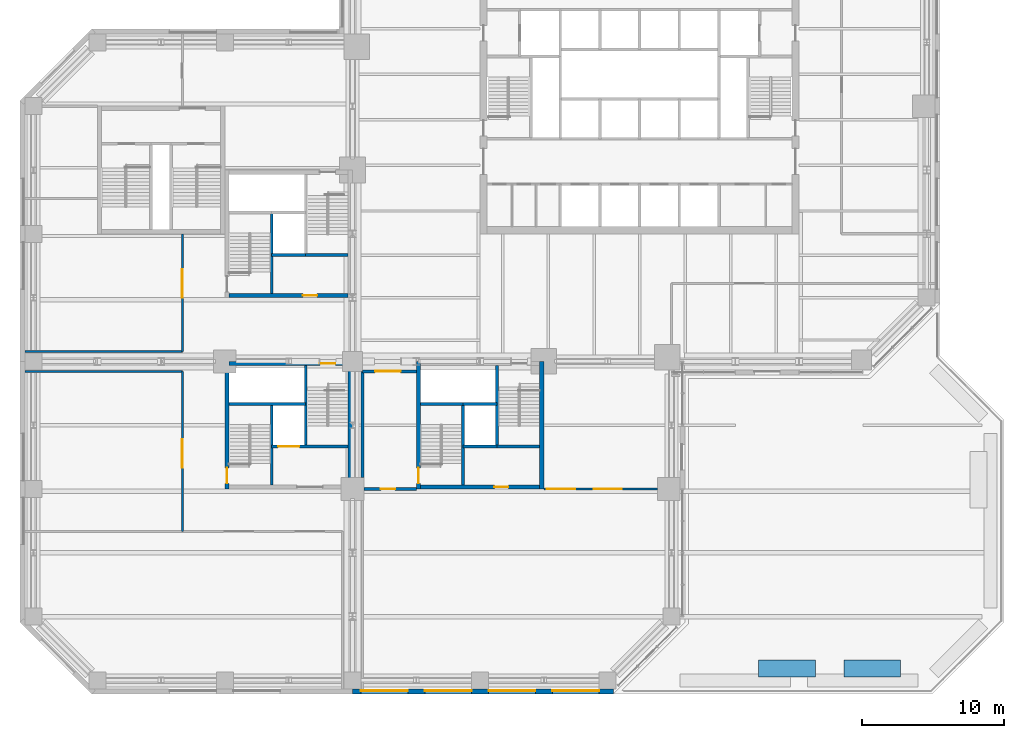
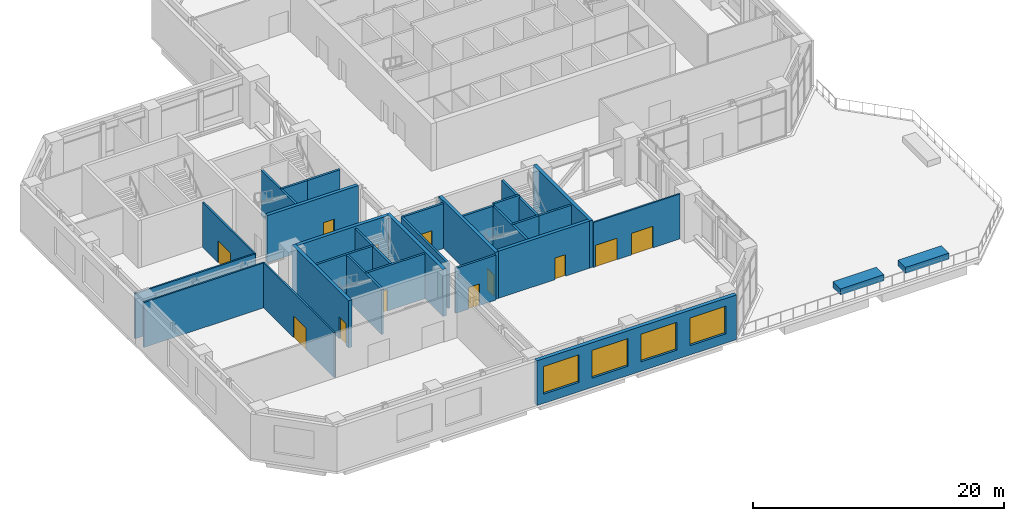
# One storey, part 13 of 21: 31 walls, 12 doors, 4 windows, 16 openings.
"""IFC4 building model written with IfcOpenShell, lengths in metres."""

from ifc_helpers import new_model, si_unit, direction, frame, frame_2d, origin, place, context, subcontext, project, spatial, rectangle, extrude, material, layer, layer_set, constituent, constituent_set, type_object, element, fill, save


model = new_model("IFC4")

# Units and contexts
model_context = context("Model", 3, precision=1e-05, world=origin(), true_north=direction((0.0, 1.0)))
body_context = subcontext(model_context, "Body", "Model", "MODEL_VIEW")
ifc_project = project(units=[si_unit("LENGTHUNIT", "METRE"), si_unit("AREAUNIT", "SQUARE_METRE"), si_unit("VOLUMEUNIT", "CUBIC_METRE"), si_unit("PLANEANGLEUNIT", "RADIAN"), si_unit("MASSUNIT", "GRAM", prefix="KILO")], contexts=[model_context])

# Site, building, storey
site_placement = place(None, origin())
site = spatial("IfcSite", under=ifc_project, at=site_placement, CompositionType="ELEMENT")
building_placement = place(site_placement, origin())
building = spatial("IfcBuilding", under=site, at=building_placement, Name="Quoin Convention Tower", CompositionType="ELEMENT")
storey_placement = place(building_placement, frame((0.0, 0.0, 18.5)))
storey = spatial("IfcBuildingStorey", under=building, at=storey_placement, Name="L03", CompositionType="ELEMENT", Elevation=18.5)

# Wall, opening, door
ifc_material_1 = material(Name="Plasterboard")
ifc_layer_1 = layer(ifc_material_1, 0.012451171875, Name="Finish")
ifc_material_2 = material(Name="Steel stud framing", Category="steel")
ifc_layer_2 = layer(ifc_material_2, 0.175048828125, Name="Structure")
ifc_layer_3 = layer(ifc_material_1, 0.012451171875, Name="Finish")
ifc_layer_set_1 = layer_set([ifc_layer_1, ifc_layer_2, ifc_layer_3], Name="Steel stud framing")
wall_type_1 = type_object("IfcWallType", Name="Block wall 200", PredefinedType="PARTITIONING", material=ifc_layer_set_1)
wall_1_placement = place(storey_placement, frame((36.800048828125, 31.5, 0.0), z_axis=(0.0, 0.0, 1.0), x_axis=(1.0, 0.0, 0.0)))
wall_1 = element("IfcWall", 1, at=wall_1_placement, inside=storey, type_object=wall_type_1, Name="pw-L03-006", PredefinedType="PARTITIONING", context=body_context, shape_type="SweptSolid", body=[
    extrude(rectangle(XDim=3.699951171875, YDim=0.199951171875, at=frame_2d((1.85009765625, 0.0))), origin(), (0.0, 0.0, 1.0), 4.3798828125),
])
opening_1_placement = place(wall_1_placement, frame((1.199951171875, 0.0, 0.0)))
opening_1 = element("IfcOpeningElement", 2, at=opening_1_placement, cuts=wall_1, Name="Opening DPD3-04", PredefinedType="OPENING", context=body_context, shape_type="SweptSolid", body=[
    extrude(rectangle(XDim=1.0, YDim=2.10009765625, at=frame_2d((0.5, 1.050048828125))), frame((0.0, 0.10986328125, 0.0), z_axis=(0.0, -1.0, 0.0), x_axis=(1.0, 0.0, 0.0)), (0.0, 0.0, 1.0), 0.219970703125),
])
ifc_material_3 = material(Name="Steel door leaf", Category="steel")
door_type_1 = type_object("IfcDoorType", Name="Single leaf door 1000", OperationType="SINGLE_SWING_LEFT", PredefinedType="DOOR", material=ifc_material_3)
door_1_placement = place(opening_1_placement, frame((1.0, 0.0, 0.0), z_axis=(0.0, 0.0, 1.0), x_axis=(-1.0, 0.0, 0.0)))
door_1 = element("IfcDoor", 3, at=door_1_placement, inside=storey, type_object=door_type_1, Name="dr-L03-004", OperationType="SINGLE_SWING_RIGHT", OverallHeight=2.10009765625, OverallWidth=1.0, PredefinedType="DOOR", context=body_context, shape_type="SweptSolid", body=[
    extrude(rectangle(XDim=1.0, YDim=2.10009765625, at=frame_2d((0.5, 1.050048828125))), frame((0.0, 0.02490234375, 0.0), z_axis=(0.0, -1.0, 0.0), x_axis=(1.0, 0.0, 0.0)), (0.0, 0.0, 1.0), 0.050048828125),
])
fill(opening_1, door_1)

# Wall
wall_2_placement = place(storey_placement, frame((36.699951171875, 32.300048828125, 0.0), z_axis=(0.0, 0.0, 1.0), x_axis=(0.0, 1.0, 0.0)))
element("IfcWall", 4, at=wall_2_placement, inside=storey, type_object=wall_type_1, Name="pw-L03-007", PredefinedType="PARTITIONING", context=body_context, shape_type="SweptSolid", body=[
    extrude(rectangle(XDim=7.5, YDim=0.199951171875, at=frame_2d((3.75, 0.0))), origin(), (0.0, 0.0, 1.0), 4.3798828125),
])

# Wall, opening, door
wall_3_placement = place(storey_placement, frame((36.699951171875, 39.800048828125, 0.0), z_axis=(0.0, 0.0, 1.0), x_axis=(1.0, 0.0, 0.0)))
wall_3 = element("IfcWall", 5, at=wall_3_placement, inside=storey, type_object=wall_type_1, Name="pw-L03-012", PredefinedType="PARTITIONING", context=body_context, shape_type="SweptSolid", body=[
    extrude(rectangle(XDim=3.800048828125, YDim=0.199951171875, at=frame_2d((1.89990234375, 0.0))), origin(), (0.0, 0.0, 1.0), 4.3798828125),
])
opening_2_placement = place(wall_3_placement, frame((0.89990234375, 0.0, 0.0)))
opening_2 = element("IfcOpeningElement", 6, at=opening_2_placement, cuts=wall_3, Name="Opening DPD3-07", PredefinedType="OPENING", context=body_context, shape_type="SweptSolid", body=[
    extrude(rectangle(XDim=1.800048828125, YDim=2.10009765625, at=frame_2d((0.89990234375, 1.050048828125))), frame((0.0, 0.10986328125, 0.0), z_axis=(0.0, -1.0, 0.0), x_axis=(1.0, 0.0, 0.0)), (0.0, 0.0, 1.0), 0.219970703125),
])
door_type_2 = type_object("IfcDoorType", Name="Double leaf door 1800", OperationType="DOUBLE_DOOR_SINGLE_SWING", PredefinedType="DOOR", material=ifc_material_3)
door_2_placement = place(opening_2_placement, frame((1.800048828125, 0.0, 0.0), z_axis=(0.0, 0.0, 1.0), x_axis=(-1.0, 0.0, 0.0)))
door_2 = element("IfcDoor", 7, at=door_2_placement, inside=storey, type_object=door_type_2, Name="dr-L03-003", OperationType="DOUBLE_DOOR_SINGLE_SWING", OverallHeight=2.10009765625, OverallWidth=1.800048828125, PredefinedType="DOOR", context=body_context, shape_type="SweptSolid", body=[
    extrude(rectangle(XDim=1.800048828125, YDim=2.10009765625, at=frame_2d((0.89990234375, 1.050048828125))), frame((0.0, 0.02490234375, 0.0), z_axis=(0.0, -1.0, 0.0), x_axis=(1.0, 0.0, 0.0)), (0.0, 0.0, 1.0), 0.050048828125),
])
fill(opening_2, door_2)

# Wall, openings, windows
ifc_material_4 = material(Name="Brick masonry", Category="masonry")
ifc_layer_4 = layer(ifc_material_4, 0.35009765625)
ifc_layer_set_2 = layer_set([ifc_layer_4], Name="Brick masonry")
wall_type_2 = type_object("IfcWallType", Name="Brick facade wall", PredefinedType="STANDARD", material=ifc_layer_set_2)
wall_4_placement = place(storey_placement, frame((36.0, 17.22509765625, 0.0), z_axis=(0.0, 0.0, 1.0), x_axis=(1.0, 0.0, 0.0)))
wall_4 = element("IfcWall", 8, at=wall_4_placement, inside=storey, type_object=wall_type_2, Name="fw-L03-36000_18000", PredefinedType="STANDARD", context=body_context, shape_type="SweptSolid", body=[
    extrude(rectangle(XDim=18.3935546875, YDim=0.35009765625, at=frame_2d((9.19677734375, 0.0))), origin(), (0.0, 0.0, 1.0), 4.35498046875),
])
opening_3_placement = place(wall_4_placement, frame((0.60009765625, 0.0, 0.89990234375)))
opening_3 = element("IfcOpeningElement", 9, at=opening_3_placement, cuts=wall_4, Name="Opening W-03", PredefinedType="OPENING", context=body_context, shape_type="SweptSolid", body=[
    extrude(rectangle(XDim=3.300048828125, YDim=2.699951171875, at=frame_2d((1.64990234375, 1.35009765625))), frame((0.0, 0.18505859375, 0.0), z_axis=(0.0, -1.0, 0.0), x_axis=(1.0, 0.0, 0.0)), (0.0, 0.0, 1.0), 0.3701171875),
])
opening_4_placement = place(wall_4_placement, frame((5.10009765625, 0.0, 0.89990234375)))
opening_4 = element("IfcOpeningElement", 10, at=opening_4_placement, cuts=wall_4, Name="Opening W-03", PredefinedType="OPENING", context=body_context, shape_type="SweptSolid", body=[
    extrude(rectangle(XDim=3.300048828125, YDim=2.699951171875, at=frame_2d((1.64990234375, 1.35009765625))), frame((0.0, 0.18505859375, 0.0), z_axis=(0.0, -1.0, 0.0), x_axis=(1.0, 0.0, 0.0)), (0.0, 0.0, 1.0), 0.3701171875),
])
opening_5_placement = place(wall_4_placement, frame((9.60009765625, 0.0, 0.89990234375)))
opening_5 = element("IfcOpeningElement", 11, at=opening_5_placement, cuts=wall_4, Name="Opening W-03", PredefinedType="OPENING", context=body_context, shape_type="SweptSolid", body=[
    extrude(rectangle(XDim=3.300048828125, YDim=2.699951171875, at=frame_2d((1.64990234375, 1.35009765625))), frame((0.0, 0.18505859375, 0.0), z_axis=(0.0, -1.0, 0.0), x_axis=(1.0, 0.0, 0.0)), (0.0, 0.0, 1.0), 0.3701171875),
])
opening_6_placement = place(wall_4_placement, frame((14.10009765625, 0.0, 0.89990234375)))
opening_6 = element("IfcOpeningElement", 12, at=opening_6_placement, cuts=wall_4, Name="Opening W-03", PredefinedType="OPENING", context=body_context, shape_type="SweptSolid", body=[
    extrude(rectangle(XDim=3.300048828125, YDim=2.699951171875, at=frame_2d((1.64990234375, 1.35009765625))), frame((0.0, 0.18505859375, 0.0), z_axis=(0.0, -1.0, 0.0), x_axis=(1.0, 0.0, 0.0)), (0.0, 0.0, 1.0), 0.3701171875),
])
ifc_material_5 = material(Name="Aluminium", Category="aluminium")
ifc_constituent_1 = constituent(ifc_material_5, Name="Frame")
ifc_material_6 = material(Name="Insulated glass", Category="glass")
ifc_constituent_2 = constituent(ifc_material_6, Name="Glazing")
ifc_constituent_set = constituent_set(constituents=[ifc_constituent_1, ifc_constituent_2], Name="Aluminium")
window_type = type_object("IfcWindowType", Name="Sky lobby window", PartitioningType="DOUBLE_PANEL_VERTICAL", PredefinedType="WINDOW", material=ifc_constituent_set)
window_1_placement = place(opening_3_placement, origin())
window_1 = element("IfcWindow", 13, at=window_1_placement, inside=storey, type_object=window_type, Name="win-L03-38250_17225", OverallHeight=2.699951171875, OverallWidth=3.300048828125, PartitioningType="SINGLE_PANEL", PredefinedType="WINDOW", context=body_context, shape_type="SweptSolid", body=[
    extrude(rectangle(XDim=3.300048828125, YDim=2.699951171875, at=frame_2d((1.64990234375, 1.35009765625))), frame((0.0, 0.0849609375, 0.0), z_axis=(0.0, -1.0, 0.0), x_axis=(1.0, 0.0, 0.0)), (0.0, 0.0, 1.0), 0.06005859375),
])
fill(opening_3, window_1)
window_2_placement = place(opening_4_placement, origin())
window_2 = element("IfcWindow", 14, at=window_2_placement, inside=storey, type_object=window_type, Name="win-L03-42750_17225", OverallHeight=2.699951171875, OverallWidth=3.300048828125, PartitioningType="SINGLE_PANEL", PredefinedType="WINDOW", context=body_context, shape_type="SweptSolid", body=[
    extrude(rectangle(XDim=3.300048828125, YDim=2.699951171875, at=frame_2d((1.64990234375, 1.35009765625))), frame((0.0, 0.0849609375, 0.0), z_axis=(0.0, -1.0, 0.0), x_axis=(1.0, 0.0, 0.0)), (0.0, 0.0, 1.0), 0.06005859375),
])
fill(opening_4, window_2)
window_3_placement = place(opening_5_placement, origin())
window_3 = element("IfcWindow", 15, at=window_3_placement, inside=storey, type_object=window_type, Name="win-L03-47250_17225", OverallHeight=2.699951171875, OverallWidth=3.300048828125, PartitioningType="SINGLE_PANEL", PredefinedType="WINDOW", context=body_context, shape_type="SweptSolid", body=[
    extrude(rectangle(XDim=3.300048828125, YDim=2.699951171875, at=frame_2d((1.64990234375, 1.35009765625))), frame((0.0, 0.0849609375, 0.0), z_axis=(0.0, -1.0, 0.0), x_axis=(1.0, 0.0, 0.0)), (0.0, 0.0, 1.0), 0.06005859375),
])
fill(opening_5, window_3)
window_4_placement = place(opening_6_placement, origin())
window_4 = element("IfcWindow", 16, at=window_4_placement, inside=storey, type_object=window_type, Name="win-L03-51750_17225", OverallHeight=2.699951171875, OverallWidth=3.300048828125, PartitioningType="SINGLE_PANEL", PredefinedType="WINDOW", context=body_context, shape_type="SweptSolid", body=[
    extrude(rectangle(XDim=3.300048828125, YDim=2.699951171875, at=frame_2d((1.64990234375, 1.35009765625))), frame((0.0, 0.0849609375, 0.0), z_axis=(0.0, -1.0, 0.0), x_axis=(1.0, 0.0, 0.0)), (0.0, 0.0, 1.0), 0.06005859375),
])
fill(opening_6, window_4)

# Walls
ifc_material_7 = material(Name="Concrete C50", Category="concrete")
ifc_layer_5 = layer(ifc_material_7, 0.199951171875)
ifc_layer_set_3 = layer_set([ifc_layer_5], Name="Concrete C50")
wall_type_3 = type_object("IfcWallType", Name="Core shaft wall", PredefinedType="SOLIDWALL", material=ifc_layer_set_3)
wall_5_placement = place(storey_placement, frame((30.300048828125, 48.0, 0.0), z_axis=(0.0, 0.0, 1.0), x_axis=(1.0, 0.0, 0.0)))
element("IfcWall", 17, at=wall_5_placement, inside=storey, type_object=wall_type_3, Name="cr-P2-L03-h3000_3300", PredefinedType="SOLIDWALL", context=body_context, shape_type="SweptSolid", body=[
    extrude(rectangle(XDim=2.39990234375, YDim=0.199951171875, at=frame_2d((1.199951171875, 0.0))), origin(), (0.0, 0.0, 1.0), 4.3798828125),
])
wall_6_placement = place(storey_placement, frame((32.699951171875, 48.0, 0.0), z_axis=(0.0, 0.0, 1.0), x_axis=(1.0, 0.0, 0.0)))
element("IfcWall", 18, at=wall_6_placement, inside=storey, type_object=wall_type_3, Name="cr-P2-L03-h3000_5700", PredefinedType="SOLIDWALL", context=body_context, shape_type="SweptSolid", body=[
    extrude(rectangle(XDim=3.0, YDim=0.199951171875, at=frame_2d((1.5, 0.0))), origin(), (0.0, 0.0, 1.0), 4.3798828125),
])
wall_7_placement = place(storey_placement, frame((30.300048828125, 45.300048828125, 0.0), z_axis=(0.0, 0.0, 1.0), x_axis=(0.0, 1.0, 0.0)))
element("IfcWall", 19, at=wall_7_placement, inside=storey, type_object=wall_type_3, Name="cr-P2-L03-v3300_300", PredefinedType="SOLIDWALL", context=body_context, shape_type="SweptSolid", body=[
    extrude(rectangle(XDim=5.699951171875, YDim=0.199951171875, at=frame_2d((2.85009765625, 0.0))), origin(), (0.0, 0.0, 1.0), 4.3798828125),
])
wall_8_placement = place(storey_placement, frame((43.800048828125, 34.5, 0.0), z_axis=(0.0, 0.0, 1.0), x_axis=(1.0, 0.0, 0.0)))
element("IfcWall", 20, at=wall_8_placement, inside=storey, type_object=wall_type_3, Name="cr-P3-L03-h3000_3300", PredefinedType="SOLIDWALL", context=body_context, shape_type="SweptSolid", body=[
    extrude(rectangle(XDim=2.39990234375, YDim=0.199951171875, at=frame_2d((1.199951171875, 0.0))), origin(), (0.0, 0.0, 1.0), 4.3798828125),
])
for number, where, z_axis, x_axis, name in (
    (21, (46.199951171875, 34.5, 0.0), (0.0, 0.0, 1.0), (1.0, 0.0, 0.0), "cr-P3-L03-h3000_5700"),
    (22, (40.800048828125, 37.5, 0.0), (0.0, 0.0, 1.0), (1.0, 0.0, 0.0), "cr-P3-L03-h6000_300"),
):
    element("IfcWall", number, at=place(storey_placement, frame(where, z_axis=z_axis, x_axis=x_axis)), inside=storey, type_object=wall_type_3, Name=name, PredefinedType="SOLIDWALL", context=body_context, shape_type="SweptSolid", body=[
        extrude(rectangle(XDim=3.0, YDim=0.199951171875, at=frame_2d((1.5, 0.0))), origin(), (0.0, 0.0, 1.0), 4.3798828125),
    ])
for number, where, z_axis, x_axis, name in (
    (23, (43.800048828125, 31.800048828125, 0.0), (0.0, 0.0, 1.0), (0.0, 1.0, 0.0), "cr-P3-L03-v3300_300"),
    (24, (46.199951171875, 34.5, 0.0), (0.0, 0.0, 1.0), (0.0, 1.0, 0.0), "cr-P3-L03-v5700_3000"),
):
    element("IfcWall", number, at=place(storey_placement, frame(where, z_axis=z_axis, x_axis=x_axis)), inside=storey, type_object=wall_type_3, Name=name, PredefinedType="SOLIDWALL", context=body_context, shape_type="SweptSolid", body=[
        extrude(rectangle(XDim=5.699951171875, YDim=0.199951171875, at=frame_2d((2.85009765625, 0.0))), origin(), (0.0, 0.0, 1.0), 4.3798828125),
    ])

# Wall, opening, door
wall_9_placement = place(storey_placement, frame((30.300048828125, 34.5, 0.0), z_axis=(0.0, 0.0, 1.0), x_axis=(1.0, 0.0, 0.0)))
wall_9 = element("IfcWall", 25, at=wall_9_placement, inside=storey, type_object=wall_type_3, Name="cr-P4-L03-h3000_3300", PredefinedType="SOLIDWALL", context=body_context, shape_type="SweptSolid", body=[
    extrude(rectangle(XDim=5.39990234375, YDim=0.199951171875, at=frame_2d((2.699951171875, 0.0))), origin(), (0.0, 0.0, 1.0), 4.3798828125),
])
opening_7_placement = place(wall_9_placement, frame((0.449951171875, 0.0, 0.0)))
opening_7 = element("IfcOpeningElement", 26, at=opening_7_placement, cuts=wall_9, Name="Opening LDGL1", PredefinedType="OPENING", context=body_context, shape_type="SweptSolid", body=[
    extrude(rectangle(XDim=1.5, YDim=2.10009765625, at=frame_2d((0.75, 1.050048828125))), frame((0.0, 0.10986328125, 0.0), z_axis=(0.0, -1.0, 0.0), x_axis=(1.0, 0.0, 0.0)), (0.0, 0.0, 1.0), 0.219970703125),
])
door_type_3 = type_object("IfcDoorType", Name="Lift landing door 1500 x 2100", OperationType="DOUBLE_DOOR_SLIDING", PredefinedType="DOOR", material=ifc_material_3)
door_3_placement = place(opening_7_placement, origin())
door_3 = element("IfcDoor", 27, at=door_3_placement, inside=storey, type_object=door_type_3, Name="cd-P4-L03-CEN-R2-LDGL1", OperationType="DOUBLE_DOOR_SLIDING", OverallHeight=2.10009765625, OverallWidth=1.5, PredefinedType="DOOR", context=body_context, shape_type="SweptSolid", body=[
    extrude(rectangle(XDim=1.5, YDim=2.10009765625, at=frame_2d((0.75, 1.050048828125))), frame((0.0, 0.02490234375, 0.0), z_axis=(0.0, -1.0, 0.0), x_axis=(1.0, 0.0, 0.0)), (0.0, 0.0, 1.0), 0.050048828125),
])
fill(opening_7, door_3)

# Walls
wall_10_placement = place(storey_placement, frame((27.300048828125, 37.5, 0.0), z_axis=(0.0, 0.0, 1.0), x_axis=(1.0, 0.0, 0.0)))
element("IfcWall", 28, at=wall_10_placement, inside=storey, type_object=wall_type_3, Name="cr-P4-L03-h6000_300", PredefinedType="SOLIDWALL", context=body_context, shape_type="SweptSolid", body=[
    extrude(rectangle(XDim=5.39990234375, YDim=0.199951171875, at=frame_2d((2.699951171875, 0.0))), origin(), (0.0, 0.0, 1.0), 4.3798828125),
])
for number, where, z_axis, x_axis, name in (
    (29, (30.300048828125, 31.800048828125, 0.0), (0.0, 0.0, 1.0), (0.0, 1.0, 0.0), "cr-P4-L03-v3300_300"),
    (30, (32.699951171875, 34.5, 0.0), (0.0, 0.0, 1.0), (0.0, 1.0, 0.0), "cr-P4-L03-v5700_3000"),
):
    element("IfcWall", number, at=place(storey_placement, frame(where, z_axis=z_axis, x_axis=x_axis)), inside=storey, type_object=wall_type_3, Name=name, PredefinedType="SOLIDWALL", context=body_context, shape_type="SweptSolid", body=[
        extrude(rectangle(XDim=5.699951171875, YDim=0.199951171875, at=frame_2d((2.85009765625, 0.0))), origin(), (0.0, 0.0, 1.0), 4.3798828125),
    ])
ifc_layer_6 = layer(ifc_material_7, 0.199951171875)
ifc_layer_set_4 = layer_set([ifc_layer_6], Name="Concrete C50")
wall_type_4 = type_object("IfcWallType", Name="Core shaft wall to the floor level over", PredefinedType="SOLIDWALL", material=ifc_layer_set_4)
wall_11_placement = place(storey_placement, frame((43.800048828125, 37.5, 0.0), z_axis=(0.0, 0.0, 1.0), x_axis=(1.0, 0.0, 0.0)))
element("IfcWall", 31, at=wall_11_placement, inside=storey, type_object=wall_type_4, Name="cr-P3-L03-h6000_3300", PredefinedType="SOLIDWALL", context=body_context, shape_type="SweptSolid", body=[
    extrude(rectangle(XDim=2.39990234375, YDim=0.199951171875, at=frame_2d((1.199951171875, 0.0))), origin(), (0.0, 0.0, 1.0), 4.60009765625),
])

# Wall, opening, door
ifc_layer_7 = layer(ifc_material_1, 0.012451171875, Name="Finish")
ifc_layer_8 = layer(ifc_material_2, 0.125, Name="Structure")
ifc_layer_9 = layer(ifc_material_1, 0.012451171875, Name="Finish")
ifc_layer_set_5 = layer_set([ifc_layer_7, ifc_layer_8, ifc_layer_9], Name="Steel stud framing")
wall_type_5 = type_object("IfcWallType", Name="Partition wall 150", PredefinedType="PARTITIONING", material=ifc_layer_set_5)
wall_12_placement = place(storey_placement, frame((24.0, 28.5, 0.0), z_axis=(0.0, 0.0, 1.0), x_axis=(0.0, 1.0, 0.0)))
wall_12 = element("IfcWall", 32, at=wall_12_placement, inside=storey, type_object=wall_type_5, Name="pw-L03-005", PredefinedType="PARTITIONING", context=body_context, shape_type="SweptSolid", body=[
    extrude(rectangle(XDim=11.300048828125, YDim=0.14990234375, at=frame_2d((5.64990234375, 0.0))), origin(), (0.0, 0.0, 1.0), 4.3798828125),
])
opening_8_placement = place(wall_12_placement, frame((4.5, 0.0, 0.0)))
opening_8 = element("IfcOpeningElement", 33, at=opening_8_placement, cuts=wall_12, Name="Opening DPD3-03", PredefinedType="OPENING", context=body_context, shape_type="SweptSolid", body=[
    extrude(rectangle(XDim=2.0, YDim=2.10009765625, at=frame_2d((1.0, 1.050048828125))), frame((0.0, 0.0849609375, 0.0), z_axis=(0.0, -1.0, 0.0), x_axis=(1.0, 0.0, 0.0)), (0.0, 0.0, 1.0), 0.169921875),
])
door_type_4 = type_object("IfcDoorType", Name="Double leaf door 2000", OperationType="DOUBLE_DOOR_SINGLE_SWING", PredefinedType="DOOR", material=ifc_material_3)
door_4_placement = place(opening_8_placement, origin())
door_4 = element("IfcDoor", 34, at=door_4_placement, inside=storey, type_object=door_type_4, Name="dr-L03-010", OperationType="DOUBLE_DOOR_SINGLE_SWING", OverallHeight=2.10009765625, OverallWidth=2.0, PredefinedType="DOOR", context=body_context, shape_type="SweptSolid", body=[
    extrude(rectangle(XDim=2.0, YDim=2.10009765625, at=frame_2d((1.0, 1.050048828125))), frame((0.0, 0.02490234375, 0.0), z_axis=(0.0, -1.0, 0.0), x_axis=(1.0, 0.0, 0.0)), (0.0, 0.0, 1.0), 0.050048828125),
])
fill(opening_8, door_4)

# Wall, openings, doors
wall_13_placement = place(storey_placement, frame((49.5, 31.5, 0.0), z_axis=(0.0, 0.0, 1.0), x_axis=(1.0, 0.0, 0.0)))
wall_13 = element("IfcWall", 35, at=wall_13_placement, inside=storey, type_object=wall_type_5, Name="pw-L03-008", PredefinedType="PARTITIONING", context=body_context, shape_type="SweptSolid", body=[
    extrude(rectangle(XDim=8.0, YDim=0.14990234375, at=frame_2d((4.0, 0.0))), origin(), (0.0, 0.0, 1.0), 4.3798828125),
])
opening_9_placement = place(wall_13_placement, frame((0.199951171875, 0.0, 0.0)))
opening_9 = element("IfcOpeningElement", 36, at=opening_9_placement, cuts=wall_13, Name="Opening DPD3-05", PredefinedType="OPENING", context=body_context, shape_type="SweptSolid", body=[
    extrude(rectangle(XDim=2.0, YDim=2.10009765625, at=frame_2d((1.0, 1.050048828125))), frame((0.0, 0.0849609375, 0.0), z_axis=(0.0, -1.0, 0.0), x_axis=(1.0, 0.0, 0.0)), (0.0, 0.0, 1.0), 0.169921875),
])
opening_10_placement = place(wall_13_placement, frame((3.5, 0.0, 0.0)))
opening_10 = element("IfcOpeningElement", 37, at=opening_10_placement, cuts=wall_13, Name="Opening DPD3-06", PredefinedType="OPENING", context=body_context, shape_type="SweptSolid", body=[
    extrude(rectangle(XDim=2.0, YDim=2.10009765625, at=frame_2d((1.0, 1.050048828125))), frame((0.0, 0.0849609375, 0.0), z_axis=(0.0, -1.0, 0.0), x_axis=(1.0, 0.0, 0.0)), (0.0, 0.0, 1.0), 0.169921875),
])
door_5_placement = place(opening_9_placement, origin())
door_5 = element("IfcDoor", 38, at=door_5_placement, inside=storey, type_object=door_type_4, Name="dr-L03-001", OperationType="DOUBLE_DOOR_SINGLE_SWING", OverallHeight=2.10009765625, OverallWidth=2.0, PredefinedType="DOOR", context=body_context, shape_type="SweptSolid", body=[
    extrude(rectangle(XDim=2.0, YDim=2.10009765625, at=frame_2d((1.0, 1.050048828125))), frame((0.0, 0.02490234375, 0.0), z_axis=(0.0, -1.0, 0.0), x_axis=(1.0, 0.0, 0.0)), (0.0, 0.0, 1.0), 0.050048828125),
])
fill(opening_9, door_5)
door_6_placement = place(opening_10_placement, origin())
door_6 = element("IfcDoor", 39, at=door_6_placement, inside=storey, type_object=door_type_4, Name="dr-L03-002", OperationType="DOUBLE_DOOR_SINGLE_SWING", OverallHeight=2.10009765625, OverallWidth=2.0, PredefinedType="DOOR", context=body_context, shape_type="SweptSolid", body=[
    extrude(rectangle(XDim=2.0, YDim=2.10009765625, at=frame_2d((1.0, 1.050048828125))), frame((0.0, 0.02490234375, 0.0), z_axis=(0.0, -1.0, 0.0), x_axis=(1.0, 0.0, 0.0)), (0.0, 0.0, 1.0), 0.050048828125),
])
fill(opening_10, door_6)

# Walls
for number, where, z_axis, x_axis, name in (
    (40, (12.89990234375, 39.800048828125, 0.0), (0.0, 0.0, 1.0), (1.0, 0.0, 0.0), "pw-L03-011"),
    (41, (12.89990234375, 41.199951171875, 0.0), (0.0, 0.0, 1.0), (1.0, 0.0, 0.0), "pw-L03-013"),
):
    element("IfcWall", number, at=place(storey_placement, frame(where, z_axis=z_axis, x_axis=x_axis)), inside=storey, type_object=wall_type_5, Name=name, PredefinedType="PARTITIONING", context=body_context, shape_type="SweptSolid", body=[
        extrude(rectangle(XDim=11.10009765625, YDim=0.14990234375, at=frame_2d((5.550048828125, 0.0))), origin(), (0.0, 0.0, 1.0), 4.3798828125),
    ])

# Wall, opening, door
wall_14_placement = place(storey_placement, frame((24.0, 41.199951171875, 0.0), z_axis=(0.0, 0.0, 1.0), x_axis=(0.0, 1.0, 0.0)))
wall_14 = element("IfcWall", 42, at=wall_14_placement, inside=storey, type_object=wall_type_5, Name="pw-L03-014", PredefinedType="PARTITIONING", context=body_context, shape_type="SweptSolid", body=[
    extrude(rectangle(XDim=8.300048828125, YDim=0.14990234375, at=frame_2d((4.14990234375, 0.0))), origin(), (0.0, 0.0, 1.0), 4.3798828125),
])
opening_11_placement = place(wall_14_placement, frame((3.800048828125, 0.0, 0.0)))
opening_11 = element("IfcOpeningElement", 43, at=opening_11_placement, cuts=wall_14, Name="Opening DPD3-08", PredefinedType="OPENING", context=body_context, shape_type="SweptSolid", body=[
    extrude(rectangle(XDim=2.0, YDim=2.10009765625, at=frame_2d((1.0, 1.050048828125))), frame((0.0, 0.0849609375, 0.0), z_axis=(0.0, -1.0, 0.0), x_axis=(1.0, 0.0, 0.0)), (0.0, 0.0, 1.0), 0.169921875),
])
door_7_placement = place(opening_11_placement, origin())
door_7 = element("IfcDoor", 44, at=door_7_placement, inside=storey, type_object=door_type_4, Name="dr-L03-007", OperationType="DOUBLE_DOOR_SINGLE_SWING", OverallHeight=2.10009765625, OverallWidth=2.0, PredefinedType="DOOR", context=body_context, shape_type="SweptSolid", body=[
    extrude(rectangle(XDim=2.0, YDim=2.10009765625, at=frame_2d((1.0, 1.050048828125))), frame((0.0, 0.02490234375, 0.0), z_axis=(0.0, -1.0, 0.0), x_axis=(1.0, 0.0, 0.0)), (0.0, 0.0, 1.0), 0.050048828125),
])
fill(opening_11, door_7)

# Walls
ifc_material_8 = material(Name="Concrete C40", Category="concrete")
ifc_layer_10 = layer(ifc_material_8, 1.199951171875)
ifc_layer_set_6 = layer_set([ifc_layer_10], Name="Concrete C40")
wall_type_6 = type_object("IfcWallType", Name="Planter bed", PredefinedType="STANDARD", material=ifc_layer_set_6)
for number, where, z_axis, x_axis, name in (
    (45, (74.64794921875, 18.85009765625, 0.0), (0.0, 0.0, 1.0), (-1.0, 0.0, 0.0), "PLANTER L03 02"),
    (46, (68.64794921875, 18.85009765625, 0.0), (0.0, 0.0, 1.0), (-1.0, 0.0, 0.0), "PLANTER L03 03"),
):
    element("IfcWall", number, at=place(storey_placement, frame(where, z_axis=z_axis, x_axis=x_axis)), inside=storey, type_object=wall_type_6, Name=name, PredefinedType="STANDARD", context=body_context, shape_type="SweptSolid", body=[
        extrude(rectangle(XDim=4.0, YDim=1.199951171875, at=frame_2d((2.0, 0.0))), origin(), (0.0, 0.0, 1.0), 0.60009765625),
    ])

# Wall, opening, door
ifc_material_9 = material(Name="Concrete C80", Category="concrete")
ifc_layer_11 = layer(ifc_material_9, 0.300048828125)
ifc_layer_set_7 = layer_set([ifc_layer_11], Name="Concrete C80")
wall_type_7 = type_object("IfcWallType", Name="RC CORE WALL 300 C80", PredefinedType="SHEAR", material=ifc_layer_set_7)
wall_15_placement = place(storey_placement, frame((27.300048828125, 45.14990234375, 0.0), z_axis=(0.0, 0.0, 1.0), x_axis=(1.0, 0.0, 0.0)))
wall_15 = element("IfcWall", 47, at=wall_15_placement, inside=storey, type_object=wall_type_7, Name="cwl-P2-L03-S", PredefinedType="SHEAR", context=body_context, shape_type="SweptSolid", body=[
    extrude(rectangle(XDim=8.39990234375, YDim=0.300048828125, at=frame_2d((4.199951171875, 0.0))), origin(), (0.0, 0.0, 1.0), 4.60009765625),
])
opening_12_placement = place(wall_15_placement, frame((5.199951171875, 0.0, 0.0)))
opening_12 = element("IfcOpeningElement", 48, at=opening_12_placement, cuts=wall_15, Name="Opening DCV1-50", PredefinedType="OPENING", context=body_context, shape_type="SweptSolid", body=[
    extrude(rectangle(XDim=1.0, YDim=2.10009765625, at=frame_2d((0.5, 1.050048828125))), frame((0.0, 0.159912109375, 0.0), z_axis=(0.0, -1.0, 0.0), x_axis=(1.0, 0.0, 0.0)), (0.0, 0.0, 1.0), 0.320068359375),
])
door_type_5 = type_object("IfcDoorType", Name="Service door 1000 x 2100", OperationType="SINGLE_SWING_LEFT", PredefinedType="DOOR", material=ifc_material_3)
door_8_placement = place(opening_12_placement, origin())
door_8 = element("IfcDoor", 49, at=door_8_placement, inside=storey, type_object=door_type_5, Name="cd-P2-L03-R2-S", OperationType="SINGLE_SWING_LEFT", OverallHeight=2.10009765625, OverallWidth=1.0, PredefinedType="DOOR", context=body_context, shape_type="SweptSolid", body=[
    extrude(rectangle(XDim=1.0, YDim=2.10009765625, at=frame_2d((0.5, 1.050048828125))), frame((0.0, 0.02490234375, 0.0), z_axis=(0.0, -1.0, 0.0), x_axis=(1.0, 0.0, 0.0)), (0.0, 0.0, 1.0), 0.050048828125),
])
fill(opening_12, door_8)

wall_16_placement = place(storey_placement, frame((40.800048828125, 31.64990234375, 0.0), z_axis=(0.0, 0.0, 1.0), x_axis=(1.0, 0.0, 0.0)))
wall_16 = element("IfcWall", 50, at=wall_16_placement, inside=storey, type_object=wall_type_7, Name="cwl-P3-L03-S", PredefinedType="SHEAR", context=body_context, shape_type="SweptSolid", body=[
    extrude(rectangle(XDim=8.39990234375, YDim=0.300048828125, at=frame_2d((4.199951171875, 0.0))), origin(), (0.0, 0.0, 1.0), 4.60009765625),
])
opening_13_placement = place(wall_16_placement, frame((5.199951171875, 0.0, 0.0)))
opening_13 = element("IfcOpeningElement", 51, at=opening_13_placement, cuts=wall_16, Name="Opening DCV1-51", PredefinedType="OPENING", context=body_context, shape_type="SweptSolid", body=[
    extrude(rectangle(XDim=1.0, YDim=2.10009765625, at=frame_2d((0.5, 1.050048828125))), frame((0.0, 0.159912109375, 0.0), z_axis=(0.0, -1.0, 0.0), x_axis=(1.0, 0.0, 0.0)), (0.0, 0.0, 1.0), 0.320068359375),
])
door_9_placement = place(opening_13_placement, frame((1.0, 0.0, 0.0), z_axis=(0.0, 0.0, 1.0), x_axis=(-1.0, 0.0, 0.0)))
door_9 = element("IfcDoor", 52, at=door_9_placement, inside=storey, type_object=door_type_5, Name="cd-P3-L03-R2-S", OperationType="SINGLE_SWING_LEFT", OverallHeight=2.10009765625, OverallWidth=1.0, PredefinedType="DOOR", context=body_context, shape_type="SweptSolid", body=[
    extrude(rectangle(XDim=1.0, YDim=2.10009765625, at=frame_2d((0.5, 1.050048828125))), frame((0.0, 0.02490234375, 0.0), z_axis=(0.0, -1.0, 0.0), x_axis=(1.0, 0.0, 0.0)), (0.0, 0.0, 1.0), 0.050048828125),
])
fill(opening_13, door_9)

wall_17_placement = place(storey_placement, frame((40.64990234375, 31.5, 0.0), z_axis=(0.0, 0.0, 1.0), x_axis=(0.0, 1.0, 0.0)))
wall_17 = element("IfcWall", 53, at=wall_17_placement, inside=storey, type_object=wall_type_7, Name="cwl-P3-L03-W", PredefinedType="SHEAR", context=body_context, shape_type="SweptSolid", body=[
    extrude(rectangle(XDim=9.0, YDim=0.300048828125, at=frame_2d((4.5, 0.0))), origin(), (0.0, 0.0, 1.0), 4.60009765625),
])
opening_14_placement = place(wall_17_placement, frame((0.39990234375, 0.0, 0.0)))
opening_14 = element("IfcOpeningElement", 54, at=opening_14_placement, cuts=wall_17, Name="Opening SD5", PredefinedType="OPENING", context=body_context, shape_type="SweptSolid", body=[
    extrude(rectangle(XDim=1.10009765625, YDim=2.10009765625, at=frame_2d((0.550048828125, 1.050048828125))), frame((0.0, 0.159912109375, 0.0), z_axis=(0.0, -1.0, 0.0), x_axis=(1.0, 0.0, 0.0)), (0.0, 0.0, 1.0), 0.320068359375),
])
door_type_6 = type_object("IfcDoorType", Name="Stair door 1100 x 2100", OperationType="SINGLE_SWING_RIGHT", PredefinedType="DOOR", material=ifc_material_3)
door_10_placement = place(opening_14_placement, frame((1.10009765625, 0.0, 0.0), z_axis=(0.0, 0.0, 1.0), x_axis=(-1.0, 0.0, 0.0)))
door_10 = element("IfcDoor", 55, at=door_10_placement, inside=storey, type_object=door_type_6, Name="cd-P3-L03-SA-W", OperationType="SINGLE_SWING_RIGHT", OverallHeight=2.10009765625, OverallWidth=1.10009765625, PredefinedType="DOOR", context=body_context, shape_type="SweptSolid", body=[
    extrude(rectangle(XDim=1.10009765625, YDim=2.10009765625, at=frame_2d((0.550048828125, 1.050048828125))), frame((0.0, 0.02490234375, 0.0), z_axis=(0.0, -1.0, 0.0), x_axis=(1.0, 0.0, 0.0)), (0.0, 0.0, 1.0), 0.050048828125),
])
fill(opening_14, door_10)

# Wall
wall_18_placement = place(storey_placement, frame((49.35009765625, 31.5, 0.0), z_axis=(0.0, 0.0, 1.0), x_axis=(0.0, 1.0, 0.0)))
element("IfcWall", 56, at=wall_18_placement, inside=storey, type_object=wall_type_7, Name="cwl-P3-L03-E", PredefinedType="SHEAR", context=body_context, shape_type="SweptSolid", body=[
    extrude(rectangle(XDim=9.0, YDim=0.300048828125, at=frame_2d((4.5, 0.0))), origin(), (0.0, 0.0, 1.0), 4.60009765625),
])

# Wall, opening, door
wall_19_placement = place(storey_placement, frame((27.300048828125, 40.35009765625, 0.0), z_axis=(0.0, 0.0, 1.0), x_axis=(1.0, 0.0, 0.0)))
wall_19 = element("IfcWall", 57, at=wall_19_placement, inside=storey, type_object=wall_type_7, Name="cwl-P4-L03-N", PredefinedType="SHEAR", context=body_context, shape_type="SweptSolid", body=[
    extrude(rectangle(XDim=8.39990234375, YDim=0.300048828125, at=frame_2d((4.199951171875, 0.0))), origin(), (0.0, 0.0, 1.0), 4.60009765625),
])
opening_15_placement = place(wall_19_placement, frame((6.39990234375, 0.0, 0.0)))
opening_15 = element("IfcOpeningElement", 58, at=opening_15_placement, cuts=wall_19, Name="Opening SD8", PredefinedType="OPENING", context=body_context, shape_type="SweptSolid", body=[
    extrude(rectangle(XDim=1.10009765625, YDim=2.10009765625, at=frame_2d((0.550048828125, 1.050048828125))), frame((0.0, 0.159912109375, 0.0), z_axis=(0.0, -1.0, 0.0), x_axis=(1.0, 0.0, 0.0)), (0.0, 0.0, 1.0), 0.320068359375),
])
door_11_placement = place(opening_15_placement, frame((1.10009765625, 0.0, 0.0), z_axis=(0.0, 0.0, 1.0), x_axis=(-1.0, 0.0, 0.0)))
door_11 = element("IfcDoor", 59, at=door_11_placement, inside=storey, type_object=door_type_6, Name="cd-P4-L03-SB-N", OperationType="SINGLE_SWING_LEFT", OverallHeight=2.10009765625, OverallWidth=1.10009765625, PredefinedType="DOOR", context=body_context, shape_type="SweptSolid", body=[
    extrude(rectangle(XDim=1.10009765625, YDim=2.10009765625, at=frame_2d((0.550048828125, 1.050048828125))), frame((0.0, 0.02490234375, 0.0), z_axis=(0.0, -1.0, 0.0), x_axis=(1.0, 0.0, 0.0)), (0.0, 0.0, 1.0), 0.050048828125),
])
fill(opening_15, door_11)

wall_20_placement = place(storey_placement, frame((27.14990234375, 31.5, 0.0), z_axis=(0.0, 0.0, 1.0), x_axis=(0.0, 1.0, 0.0)))
wall_20 = element("IfcWall", 60, at=wall_20_placement, inside=storey, type_object=wall_type_7, Name="cwl-P4-L03-W", PredefinedType="SHEAR", context=body_context, shape_type="SweptSolid", body=[
    extrude(rectangle(XDim=9.0, YDim=0.300048828125, at=frame_2d((4.5, 0.0))), origin(), (0.0, 0.0, 1.0), 4.60009765625),
])
opening_16_placement = place(wall_20_placement, frame((0.39990234375, 0.0, 0.0)))
opening_16 = element("IfcOpeningElement", 61, at=opening_16_placement, cuts=wall_20, Name="Opening SD7", PredefinedType="OPENING", context=body_context, shape_type="SweptSolid", body=[
    extrude(rectangle(XDim=1.10009765625, YDim=2.10009765625, at=frame_2d((0.550048828125, 1.050048828125))), frame((0.0, 0.159912109375, 0.0), z_axis=(0.0, -1.0, 0.0), x_axis=(1.0, 0.0, 0.0)), (0.0, 0.0, 1.0), 0.320068359375),
])
door_12_placement = place(opening_16_placement, frame((1.10009765625, 0.0, 0.0), z_axis=(0.0, 0.0, 1.0), x_axis=(-1.0, 0.0, 0.0)))
door_12 = element("IfcDoor", 62, at=door_12_placement, inside=storey, type_object=door_type_6, Name="cd-P4-L03-SA-W", OperationType="SINGLE_SWING_RIGHT", OverallHeight=2.10009765625, OverallWidth=1.10009765625, PredefinedType="DOOR", context=body_context, shape_type="SweptSolid", body=[
    extrude(rectangle(XDim=1.10009765625, YDim=2.10009765625, at=frame_2d((0.550048828125, 1.050048828125))), frame((0.0, 0.02490234375, 0.0), z_axis=(0.0, -1.0, 0.0), x_axis=(1.0, 0.0, 0.0)), (0.0, 0.0, 1.0), 0.050048828125),
])
fill(opening_16, door_12)

# Wall
wall_21_placement = place(storey_placement, frame((35.85009765625, 31.5, 0.0), z_axis=(0.0, 0.0, 1.0), x_axis=(0.0, 1.0, 0.0)))
element("IfcWall", 63, at=wall_21_placement, inside=storey, type_object=wall_type_7, Name="cwl-P4-L03-E", PredefinedType="SHEAR", context=body_context, shape_type="SweptSolid", body=[
    extrude(rectangle(XDim=9.0, YDim=0.300048828125, at=frame_2d((4.5, 0.0))), origin(), (0.0, 0.0, 1.0), 4.60009765625),
])

save(model, "model.ifc")
